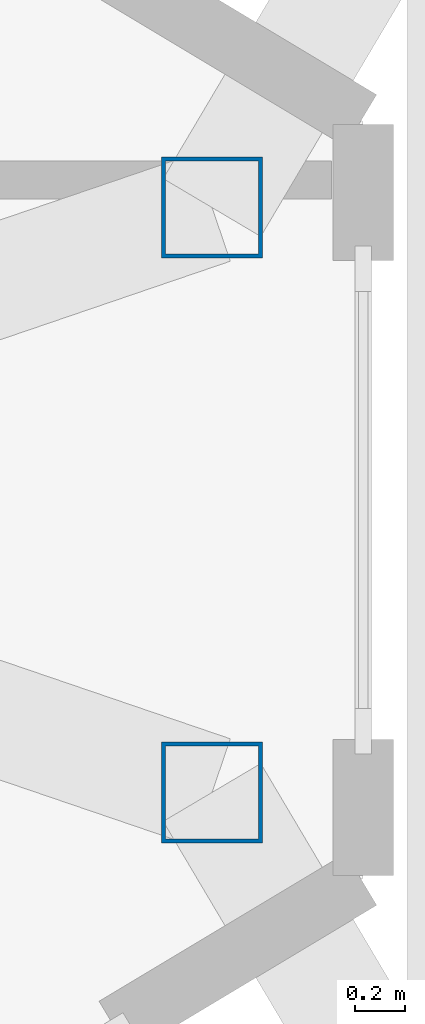
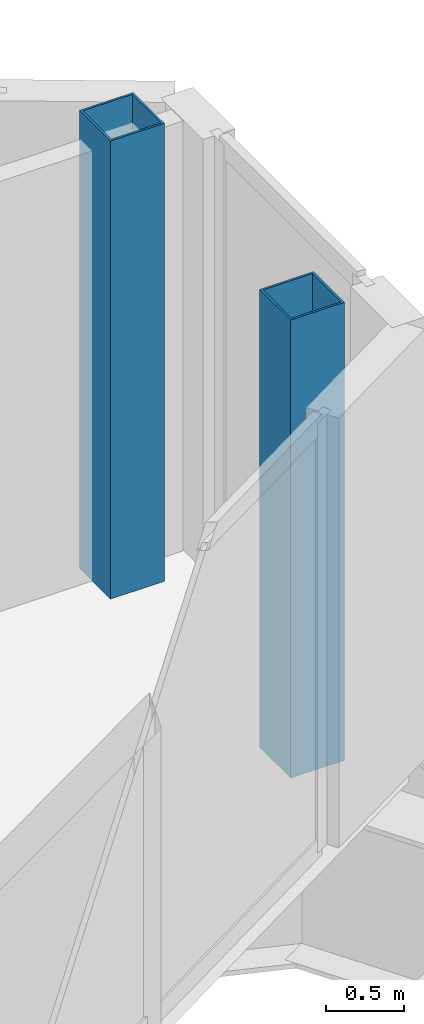
# One storey, part 4 of 29: 2 columns.
"""IFC4 building model written with IfcOpenShell, lengths in metres."""

from ifc_helpers import new_model, si_unit, direction, frame, origin, origin_2d, place, context, subcontext, project, spatial, hollow_rectangle, extrude, source, transform, mapped, material, material_profile, profile_set, type_object, type_shapes, element, save


model = new_model("IFC4")

# Units and contexts
model_context = context("Model", 3, precision=1e-05, world=origin(), true_north=direction((0.0, 1.0)))
body_context = subcontext(model_context, "Body", "Model", "MODEL_VIEW")
ifc_project = project(units=[si_unit("LENGTHUNIT", "METRE"), si_unit("AREAUNIT", "SQUARE_METRE"), si_unit("VOLUMEUNIT", "CUBIC_METRE"), si_unit("PLANEANGLEUNIT", "RADIAN"), si_unit("MASSUNIT", "GRAM", prefix="KILO")], contexts=[model_context])

# Site, building, storey
site_placement = place(None, origin())
site = spatial("IfcSite", under=ifc_project, at=site_placement, CompositionType="ELEMENT")
building_placement = place(site_placement, origin())
building = spatial("IfcBuilding", under=site, at=building_placement, Name="Seokmaru Belvedere", CompositionType="ELEMENT")
storey_placement = place(building_placement, frame((0.0, 0.0, 195.89990234375)))
storey = spatial("IfcBuildingStorey", under=building, at=storey_placement, Name="L52", CompositionType="ELEMENT", Elevation=195.89990234375)

# Columns
ifc_material = material(Name="Steel SM355 (355 MPa)", Category="steel")
ifc_material_profile = material_profile(ifc_material, hollow_rectangle(XDim=0.39990234375, YDim=0.39990234375, WallThickness=0.01611328125, at=origin_2d()), Name="HSS-400x400x16")
ifc_profile_set = profile_set([ifc_material_profile], Name="Steel SM355 (355 MPa)")
column_type = type_object("IfcColumnType", Name="Perimeter Facet Column HSS-400", PredefinedType="COLUMN", material=ifc_profile_set)
shared_shape = source(origin(), body_context, "Body", "SweptSolid", [
    extrude(hollow_rectangle(XDim=0.39990234375, YDim=0.39990234375, WallThickness=0.01611328125, at=origin_2d()), origin(), (0.0, 0.0, 1.0), 3.60009765625),
])
type_shapes(column_type, [shared_shape])
for number, where, z_axis, x_axis, name in (
    (1, (66.89990234375, -1.160400390625, 0.0), (0.0, 0.0, 1.0), (1.0, 0.0, 0.0), "L52 Column EF2"),
    (2, (66.89990234375, 1.160400390625, 0.0), (0.0, 0.0, 1.0), (1.0, 0.0, 0.0), "L52 Column EF3"),
):
    element("IfcColumn", number, at=place(storey_placement, frame(where, z_axis=z_axis, x_axis=x_axis)), inside=storey, type_object=column_type, Name=name, PredefinedType="COLUMN", context=body_context, shape_type="MappedRepresentation", body=[
        mapped(shared_shape, transform((0.0, 0.0, 0.0), scale=1.0)),
    ])

save(model, "model.ifc")
